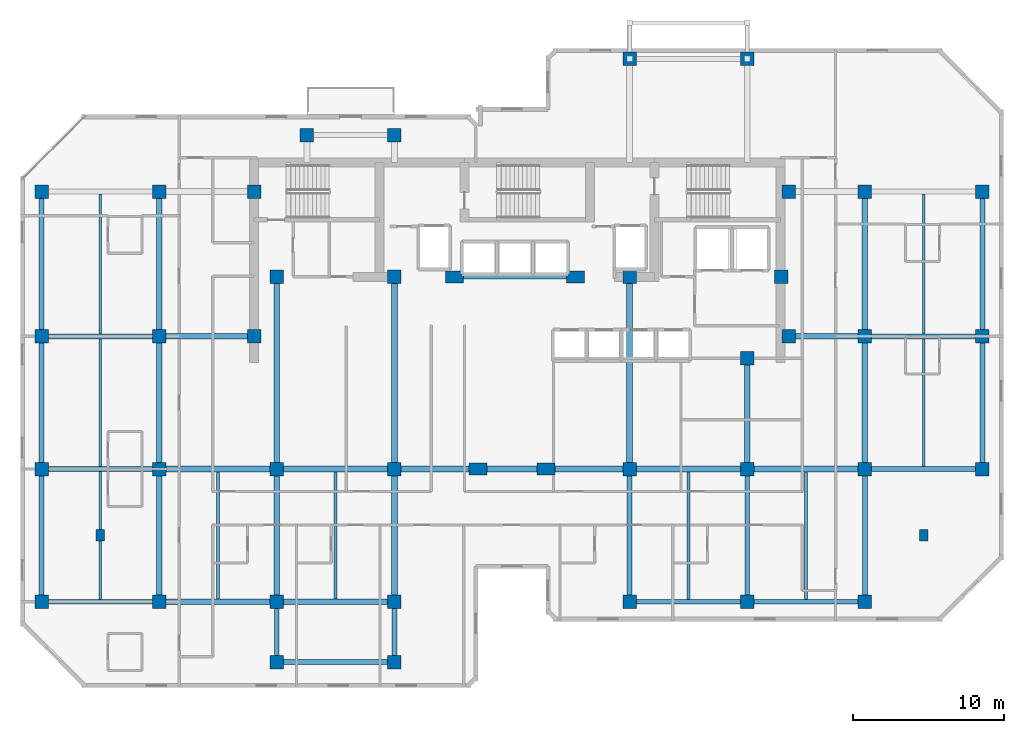
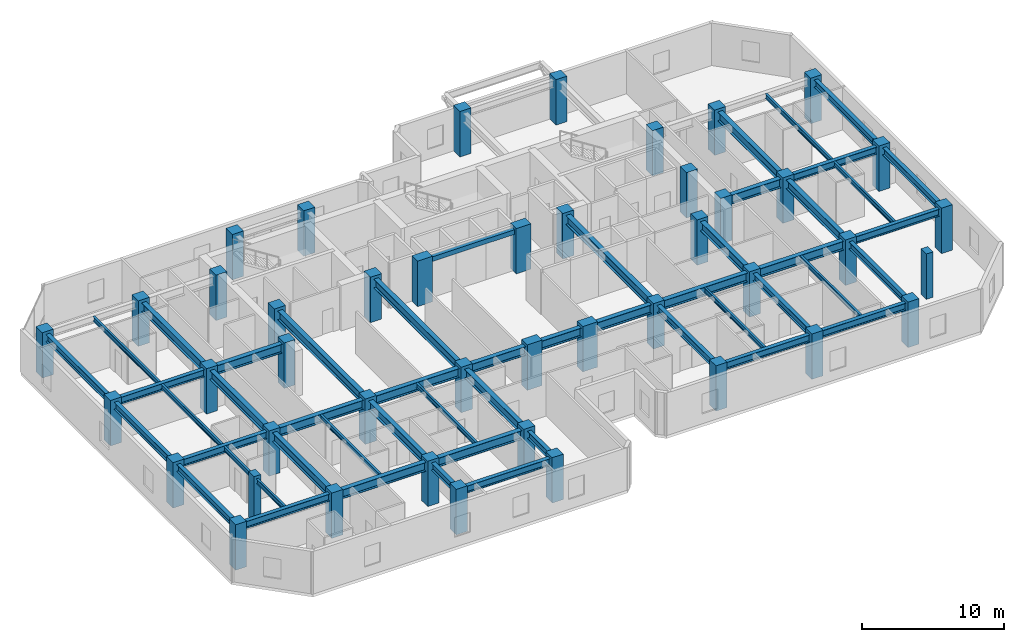
# One storey, part 1 of 10: 50 beams, 44 columns.
"""IFC4 building model written with IfcOpenShell, lengths in metres."""

from ifc_helpers import new_model, si_unit, direction, frame, origin, origin_2d, place, context, subcontext, project, spatial, rectangle, i_section, extrude, material, material_profile, profile_set, type_object, element, save


model = new_model("IFC4")

# Units and contexts
model_context = context("Model", 3, precision=1e-05, world=origin(), true_north=direction((0.0, 1.0)))
body_context = subcontext(model_context, "Body", "Model", "MODEL_VIEW")
ifc_project = project(units=[si_unit("LENGTHUNIT", "METRE"), si_unit("AREAUNIT", "SQUARE_METRE"), si_unit("VOLUMEUNIT", "CUBIC_METRE"), si_unit("PLANEANGLEUNIT", "RADIAN"), si_unit("MASSUNIT", "GRAM", prefix="KILO")], contexts=[model_context])

# Site, building, storey
site_placement = place(None, origin())
site = spatial("IfcSite", under=ifc_project, at=site_placement, CompositionType="ELEMENT")
building_placement = place(site_placement, origin())
building = spatial("IfcBuilding", under=site, at=building_placement, Name="Kestravale Grand Hotel", CompositionType="ELEMENT")
storey_placement = place(building_placement, frame((0.0, 0.0, 216.300048828125)))
storey = spatial("IfcBuildingStorey", under=building, at=storey_placement, Name="L54", CompositionType="ELEMENT", Elevation=216.300048828125)

# Columns
ifc_material_1 = material(Name="Concrete f'c 60 MPa", Category="concrete")
ifc_material_profile_1 = material_profile(ifc_material_1, rectangle(XDim=1.199951171875, YDim=0.800048828125, at=origin_2d()))
ifc_profile_set_1 = profile_set([ifc_material_profile_1], Name="Concrete f'c 60 MPa")
column_type_1 = type_object("IfcColumnType", Name="C-Z3-1200X800", PredefinedType="COLUMN", material=ifc_profile_set_1)
for number, where, z_axis, x_axis, name in (
    (1, (36.75, 20.0, 0.0), (0.0, 0.0, 1.0), (1.0, 0.0, 0.0), "L54 column 6-D"),
    (2, (41.25, 20.0, 0.0), (0.0, 0.0, 1.0), (1.0, 0.0, 0.0), "L54 column 7-D"),
    (3, (35.199951171875, 32.75, 0.0), (0.0, 0.0, 1.0), (1.0, 0.0, 0.0), "L54 column 6C-CS"),
    (4, (43.199951171875, 32.75, 0.0), (0.0, 0.0, 1.0), (1.0, 0.0, 0.0), "L54 column 7C-CS"),
):
    element("IfcColumn", number, at=place(storey_placement, frame(where, z_axis=z_axis, x_axis=x_axis)), inside=storey, type_object=column_type_1, Name=name, PredefinedType="COLUMN", context=body_context, shape_type="SweptSolid", body=[
        extrude(rectangle(XDim=1.199951171875, YDim=0.800048828125, at=origin_2d()), origin(), (0.0, 0.0, 1.0), 3.89990234375),
    ])
ifc_material_2 = material(Name="Precast concrete f'c 45 MPa", Category="concrete")
ifc_material_profile_2 = material_profile(ifc_material_2, rectangle(XDim=0.550048828125, YDim=0.75, at=origin_2d()))
ifc_profile_set_2 = profile_set([ifc_material_profile_2], Name="Precast concrete f'c 45 MPa")
column_type_2 = type_object("IfcColumnType", Name="C-Z3-PIL750", PredefinedType="PILASTER", material=ifc_profile_set_2)
for number, where, z_axis, x_axis, name in (
    (5, (11.699951171875, 15.60009765625, 0.0), (0.0, 0.0, 1.0), (1.0, 0.0, 0.0), "L54 Art Deco fluted pilaster P1"),
    (6, (66.300048828125, 15.60009765625, 0.0), (0.0, 0.0, 1.0), (1.0, 0.0, 0.0), "L54 Art Deco fluted pilaster P2"),
):
    element("IfcColumn", number, at=place(storey_placement, frame(where, z_axis=z_axis, x_axis=x_axis)), inside=storey, type_object=column_type_2, Name=name, PredefinedType="PILASTER", context=body_context, shape_type="SweptSolid", body=[
        extrude(rectangle(XDim=0.550048828125, YDim=0.75, at=origin_2d()), origin(), (0.0, 0.0, 1.0), 3.89990234375),
    ])
ifc_material_3 = material(Name="Concrete f'c 50 MPa", Category="concrete")
ifc_material_profile_3 = material_profile(ifc_material_3, rectangle(XDim=0.89990234375, YDim=0.89990234375, at=origin_2d()))
ifc_profile_set_3 = profile_set([ifc_material_profile_3], Name="Concrete f'c 50 MPa")
column_type_3 = type_object("IfcColumnType", Name="C-Z4-900", PredefinedType="COLUMN", material=ifc_profile_set_3)
for number, where, z_axis, x_axis, name in (
    (7, (7.800048828125, 11.199951171875, 0.0), (0.0, 0.0, 1.0), (1.0, 0.0, 0.0), "L54 column 2-C"),
    (8, (7.800048828125, 20.0, 0.0), (0.0, 0.0, 1.0), (1.0, 0.0, 0.0), "L54 column 2-D"),
    (9, (7.800048828125, 28.800048828125, 0.0), (0.0, 0.0, 1.0), (1.0, 0.0, 0.0), "L54 column 2-E"),
    (10, (7.800048828125, 38.39990234375, 0.0), (0.0, 0.0, 1.0), (1.0, 0.0, 0.0), "L54 column 2-F"),
    (11, (15.60009765625, 11.199951171875, 0.0), (0.0, 0.0, 1.0), (1.0, 0.0, 0.0), "L54 column 3-C"),
    (12, (15.60009765625, 20.0, 0.0), (0.0, 0.0, 1.0), (1.0, 0.0, 0.0), "L54 column 3-D"),
    (13, (15.60009765625, 28.800048828125, 0.0), (0.0, 0.0, 1.0), (1.0, 0.0, 0.0), "L54 column 3-E"),
    (14, (15.60009765625, 38.39990234375, 0.0), (0.0, 0.0, 1.0), (1.0, 0.0, 0.0), "L54 column 3-F"),
    (15, (23.39990234375, 11.199951171875, 0.0), (0.0, 0.0, 1.0), (1.0, 0.0, 0.0), "L54 column 4-C"),
    (16, (23.39990234375, 20.0, 0.0), (0.0, 0.0, 1.0), (1.0, 0.0, 0.0), "L54 column 4-D"),
    (17, (31.199951171875, 11.199951171875, 0.0), (0.0, 0.0, 1.0), (1.0, 0.0, 0.0), "L54 column 5-C"),
    (18, (31.199951171875, 20.0, 0.0), (0.0, 0.0, 1.0), (1.0, 0.0, 0.0), "L54 column 5-D"),
    (19, (46.800048828125, 11.199951171875, 0.0), (0.0, 0.0, 1.0), (1.0, 0.0, 0.0), "L54 column 8-C"),
    (20, (46.800048828125, 20.0, 0.0), (0.0, 0.0, 1.0), (1.0, 0.0, 0.0), "L54 column 8-D"),
    (21, (46.800048828125, 47.199951171875, 0.0), (0.0, 0.0, 1.0), (1.0, 0.0, 0.0), "L54 column 8-G"),
    (22, (54.60009765625, 11.199951171875, 0.0), (0.0, 0.0, 1.0), (1.0, 0.0, 0.0), "L54 column 9-C"),
    (23, (54.60009765625, 20.0, 0.0), (0.0, 0.0, 1.0), (1.0, 0.0, 0.0), "L54 column 9-D"),
    (24, (54.60009765625, 47.199951171875, 0.0), (0.0, 0.0, 1.0), (1.0, 0.0, 0.0), "L54 column 9-G"),
    (25, (62.39990234375, 11.199951171875, 0.0), (0.0, 0.0, 1.0), (1.0, 0.0, 0.0), "L54 column 10-C"),
    (26, (62.39990234375, 20.0, 0.0), (0.0, 0.0, 1.0), (1.0, 0.0, 0.0), "L54 column 10-D"),
    (27, (62.39990234375, 28.800048828125, 0.0), (0.0, 0.0, 1.0), (1.0, 0.0, 0.0), "L54 column 10-E"),
    (28, (62.39990234375, 38.39990234375, 0.0), (0.0, 0.0, 1.0), (1.0, 0.0, 0.0), "L54 column 10-F"),
    (29, (70.199951171875, 20.0, 0.0), (0.0, 0.0, 1.0), (1.0, 0.0, 0.0), "L54 column 11-D"),
    (30, (70.199951171875, 28.800048828125, 0.0), (0.0, 0.0, 1.0), (1.0, 0.0, 0.0), "L54 column 11-E"),
    (31, (70.199951171875, 38.39990234375, 0.0), (0.0, 0.0, 1.0), (1.0, 0.0, 0.0), "L54 column 11-F"),
    (32, (21.89990234375, 28.800048828125, 0.0), (0.0, 0.0, 1.0), (1.0, 0.0, 0.0), "L54 column CW-E"),
    (33, (21.89990234375, 38.39990234375, 0.0), (0.0, 0.0, 1.0), (1.0, 0.0, 0.0), "L54 column CW-F"),
    (34, (57.35009765625, 28.800048828125, 0.0), (0.0, 0.0, 1.0), (1.0, 0.0, 0.0), "L54 column CE-E"),
    (35, (57.35009765625, 38.39990234375, 0.0), (0.0, 0.0, 1.0), (1.0, 0.0, 0.0), "L54 column CE-F"),
    (36, (23.39990234375, 32.75, 0.0), (0.0, 0.0, 1.0), (1.0, 0.0, 0.0), "L54 column 4-CS"),
    (37, (31.199951171875, 32.75, 0.0), (0.0, 0.0, 1.0), (1.0, 0.0, 0.0), "L54 column 5-CS"),
    (38, (46.800048828125, 32.75, 0.0), (0.0, 0.0, 1.0), (1.0, 0.0, 0.0), "L54 column 8-CS"),
    (39, (54.60009765625, 27.35009765625, 0.0), (0.0, 0.0, 1.0), (1.0, 0.0, 0.0), "L54 column 9-CS"),
    (40, (56.85009765625, 32.75, 0.0), (0.0, 0.0, 1.0), (1.0, 0.0, 0.0), "L54 column 9C-CS"),
    (41, (23.39990234375, 7.199951171875, 0.0), (0.0, 0.0, 1.0), (1.0, 0.0, 0.0), "L54 column 4-BS"),
    (42, (31.199951171875, 7.199951171875, 0.0), (0.0, 0.0, 1.0), (1.0, 0.0, 0.0), "L54 column 5-BS"),
    (43, (25.39990234375, 42.14990234375, 0.0), (0.0, 0.0, 1.0), (1.0, 0.0, 0.0), "L54 column 4-FN"),
    (44, (31.199951171875, 42.14990234375, 0.0), (0.0, 0.0, 1.0), (1.0, 0.0, 0.0), "L54 column 5-FN"),
):
    element("IfcColumn", number, at=place(storey_placement, frame(where, z_axis=z_axis, x_axis=x_axis)), inside=storey, type_object=column_type_3, Name=name, PredefinedType="COLUMN", context=body_context, shape_type="SweptSolid", body=[
        extrude(rectangle(XDim=0.89990234375, YDim=0.89990234375, at=origin_2d()), origin(), (0.0, 0.0, 1.0), 3.89990234375),
    ])

# Beams
ifc_material_4 = material(Name="Steel ASTM A992 Grade 50", Category="steel")
ifc_material_profile_4 = material_profile(ifc_material_4, i_section(OverallWidth=0.177978515625, OverallDepth=0.404052734375, WebThickness=0.007568359375, FlangeThickness=0.010986328125, FilletRadius=0.01416015625, at=origin_2d()))
ifc_profile_set_4 = profile_set([ifc_material_profile_4], Name="Steel ASTM A992 Grade 50")
beam_type_1 = type_object("IfcBeamType", Name="B-FLR-JST16", PredefinedType="JOIST", material=ifc_profile_set_4)
for number, where, z_axis, x_axis, name in (
    (45, (11.699951171875, 11.362548828125, 3.447998046875), (0.0, 1.0, 0.0), (-1.0, 0.0, 0.0), "L54 floor joist 2-3/C-D #1"),
    (46, (11.699951171875, 20.16259765625, 3.447998046875), (0.0, 1.0, 0.0), (-1.0, 0.0, 0.0), "L54 floor joist 2-3/D-E #1"),
):
    element("IfcBeam", number, at=place(storey_placement, frame(where, z_axis=z_axis, x_axis=x_axis)), inside=storey, type_object=beam_type_1, Name=name, PredefinedType="JOIST", context=body_context, shape_type="SweptSolid", body=[
        extrude(i_section(OverallWidth=0.177978515625, OverallDepth=0.404052734375, WebThickness=0.007568359375, FlangeThickness=0.010986328125, FilletRadius=0.01416015625, at=origin_2d()), origin(), (0.0, 0.0, 1.0), 8.474853515625),
    ])
beam_1_placement = place(storey_placement, frame((11.699951171875, 28.96240234375, 3.447998046875), z_axis=(0.0, 1.0, 0.0), x_axis=(-1.0, 0.0, 0.0)))
element("IfcBeam", 47, at=beam_1_placement, inside=storey, type_object=beam_type_1, Name="L54 floor joist 2-3/E-F #1", PredefinedType="JOIST", context=body_context, shape_type="SweptSolid", body=[
    extrude(i_section(OverallWidth=0.177978515625, OverallDepth=0.404052734375, WebThickness=0.007568359375, FlangeThickness=0.010986328125, FilletRadius=0.01416015625, at=origin_2d()), origin(), (0.0, 0.0, 1.0), 9.275146484375),
])
for number, where, z_axis, x_axis, name in (
    (48, (19.5, 11.390380859375, 3.447998046875), (0.0, 1.0, 0.0), (-1.0, 0.0, 0.0), "L54 floor joist 3-4/C-D #1"),
    (49, (27.300048828125, 11.390380859375, 3.447998046875), (0.0, 1.0, 0.0), (-1.0, 0.0, 0.0), "L54 floor joist 4-5/C-D #1"),
):
    element("IfcBeam", number, at=place(storey_placement, frame(where, z_axis=z_axis, x_axis=x_axis)), inside=storey, type_object=beam_type_1, Name=name, PredefinedType="JOIST", context=body_context, shape_type="SweptSolid", body=[
        extrude(i_section(OverallWidth=0.177978515625, OverallDepth=0.404052734375, WebThickness=0.007568359375, FlangeThickness=0.010986328125, FilletRadius=0.01416015625, at=origin_2d()), origin(), (0.0, 0.0, 1.0), 8.419189453125),
    ])
for number, where, z_axis, x_axis, name in (
    (50, (50.699951171875, 11.362548828125, 3.447998046875), (0.0, 1.0, 0.0), (-1.0, 0.0, 0.0), "L54 floor joist 8-9/C-D #1"),
    (51, (58.5, 11.362548828125, 3.447998046875), (0.0, 1.0, 0.0), (-1.0, 0.0, 0.0), "L54 floor joist 9-10/C-D #1"),
):
    element("IfcBeam", number, at=place(storey_placement, frame(where, z_axis=z_axis, x_axis=x_axis)), inside=storey, type_object=beam_type_1, Name=name, PredefinedType="JOIST", context=body_context, shape_type="SweptSolid", body=[
        extrude(i_section(OverallWidth=0.177978515625, OverallDepth=0.404052734375, WebThickness=0.007568359375, FlangeThickness=0.010986328125, FilletRadius=0.01416015625, at=origin_2d()), origin(), (0.0, 0.0, 1.0), 8.447021484375),
    ])
beam_2_placement = place(storey_placement, frame((66.300048828125, 20.16259765625, 3.447998046875), z_axis=(0.0, 1.0, 0.0), x_axis=(-1.0, 0.0, 0.0)))
element("IfcBeam", 52, at=beam_2_placement, inside=storey, type_object=beam_type_1, Name="L54 floor joist 10-11/D-E #1", PredefinedType="JOIST", context=body_context, shape_type="SweptSolid", body=[
    extrude(i_section(OverallWidth=0.177978515625, OverallDepth=0.404052734375, WebThickness=0.007568359375, FlangeThickness=0.010986328125, FilletRadius=0.01416015625, at=origin_2d()), origin(), (0.0, 0.0, 1.0), 8.474853515625),
])
beam_3_placement = place(storey_placement, frame((66.300048828125, 28.96240234375, 3.447998046875), z_axis=(0.0, 1.0, 0.0), x_axis=(-1.0, 0.0, 0.0)))
element("IfcBeam", 53, at=beam_3_placement, inside=storey, type_object=beam_type_1, Name="L54 floor joist 10-11/E-F #1", PredefinedType="JOIST", context=body_context, shape_type="SweptSolid", body=[
    extrude(i_section(OverallWidth=0.177978515625, OverallDepth=0.404052734375, WebThickness=0.007568359375, FlangeThickness=0.010986328125, FilletRadius=0.01416015625, at=origin_2d()), origin(), (0.0, 0.0, 1.0), 9.275146484375),
])
ifc_material_5 = material(Name="Concrete f'c 45 MPa", Category="concrete")
ifc_material_profile_5 = material_profile(ifc_material_5, rectangle(XDim=0.300048828125, YDim=0.39990234375, at=origin_2d()))
ifc_profile_set_5 = profile_set([ifc_material_profile_5], Name="Concrete f'c 45 MPa")
beam_type_2 = type_object("IfcBeamType", Name="B-FLR-LNT400", PredefinedType="LINTEL", material=ifc_profile_set_5)
beam_4_placement = place(storey_placement, frame((35.199951171875, 32.75, 3.449951171875), z_axis=(1.0, 0.0, 0.0), x_axis=(0.0, 1.0, 0.0)))
element("IfcBeam", 54, at=beam_4_placement, inside=storey, type_object=beam_type_2, Name="L54 core portal header lintel", PredefinedType="LINTEL", context=body_context, shape_type="SweptSolid", body=[
    extrude(rectangle(XDim=0.300048828125, YDim=0.39990234375, at=origin_2d()), origin(), (0.0, 0.0, 1.0), 8.0),
])
ifc_material_6 = material(Name="Steel ASTM A992 Grade 50", Category="steel")
ifc_material_profile_6 = material_profile(ifc_material_6, i_section(OverallWidth=0.324951171875, OverallDepth=0.612060546875, WebThickness=0.0126953125, FlangeThickness=0.01904296875, FilletRadius=0.018798828125, at=origin_2d()))
ifc_profile_set_6 = profile_set([ifc_material_profile_6], Name="Steel ASTM A992 Grade 50")
beam_type_3 = type_object("IfcBeamType", Name="B-FLR-W24A", PredefinedType="SPANDREL", material=ifc_profile_set_6)
for number, where, z_axis, x_axis, name in (
    (55, (7.800048828125, 11.199951171875, 3.343994140625), (1.0, 0.0, 0.0), (0.0, 1.0, 0.0), "L54 spandrel C:2-3"),
    (56, (46.800048828125, 11.199951171875, 3.343994140625), (1.0, 0.0, 0.0), (0.0, 1.0, 0.0), "L54 spandrel C:8-9"),
):
    element("IfcBeam", number, at=place(storey_placement, frame(where, z_axis=z_axis, x_axis=x_axis)), inside=storey, type_object=beam_type_3, Name=name, PredefinedType="SPANDREL", context=body_context, shape_type="SweptSolid", body=[
        extrude(i_section(OverallWidth=0.324951171875, OverallDepth=0.612060546875, WebThickness=0.0126953125, FlangeThickness=0.01904296875, FilletRadius=0.018798828125, at=origin_2d()), origin(), (0.0, 0.0, 1.0), 7.800048828125),
    ])
beam_5_placement = place(storey_placement, frame((54.60009765625, 11.199951171875, 3.343994140625), z_axis=(1.0, 0.0, 0.0), x_axis=(0.0, 1.0, 0.0)))
element("IfcBeam", 57, at=beam_5_placement, inside=storey, type_object=beam_type_3, Name="L54 spandrel C:9-10", PredefinedType="SPANDREL", context=body_context, shape_type="SweptSolid", body=[
    extrude(i_section(OverallWidth=0.324951171875, OverallDepth=0.612060546875, WebThickness=0.0126953125, FlangeThickness=0.01904296875, FilletRadius=0.018798828125, at=origin_2d()), origin(), (0.0, 0.0, 1.0), 7.7998046875),
])
for number, where, z_axis, x_axis, name in (
    (58, (7.800048828125, 20.0, 3.343994140625), (1.0, 0.0, 0.0), (0.0, 1.0, 0.0), "L54 spandrel D:2-3"),
    (59, (62.39990234375, 20.0, 3.343994140625), (1.0, 0.0, 0.0), (0.0, 1.0, 0.0), "L54 spandrel D:10-11"),
    (60, (7.800048828125, 28.800048828125, 3.343994140625), (1.0, 0.0, 0.0), (0.0, 1.0, 0.0), "L54 spandrel E:2-3"),
    (61, (62.39990234375, 28.800048828125, 3.343994140625), (1.0, 0.0, 0.0), (0.0, 1.0, 0.0), "L54 spandrel E:10-11"),
    (62, (23.39990234375, 7.199951171875, 3.343994140625), (1.0, 0.0, 0.0), (0.0, 1.0, 0.0), "L54 perimeter tie spandrel BS:4-5"),
):
    element("IfcBeam", number, at=place(storey_placement, frame(where, z_axis=z_axis, x_axis=x_axis)), inside=storey, type_object=beam_type_3, Name=name, PredefinedType="SPANDREL", context=body_context, shape_type="SweptSolid", body=[
        extrude(i_section(OverallWidth=0.324951171875, OverallDepth=0.612060546875, WebThickness=0.0126953125, FlangeThickness=0.01904296875, FilletRadius=0.018798828125, at=origin_2d()), origin(), (0.0, 0.0, 1.0), 7.800048828125),
    ])
for number, where, z_axis, x_axis, name in (
    (63, (7.800048828125, 11.199951171875, 3.343994140625), (0.0, 1.0, 0.0), (-1.0, 0.0, 0.0), "L54 spandrel 2:C-D"),
    (64, (7.800048828125, 20.0, 3.343994140625), (0.0, 1.0, 0.0), (-1.0, 0.0, 0.0), "L54 spandrel 2:D-E"),
):
    element("IfcBeam", number, at=place(storey_placement, frame(where, z_axis=z_axis, x_axis=x_axis)), inside=storey, type_object=beam_type_3, Name=name, PredefinedType="SPANDREL", context=body_context, shape_type="SweptSolid", body=[
        extrude(i_section(OverallWidth=0.324951171875, OverallDepth=0.612060546875, WebThickness=0.0126953125, FlangeThickness=0.01904296875, FilletRadius=0.018798828125, at=origin_2d()), origin(), (0.0, 0.0, 1.0), 8.800048828125),
    ])
beam_6_placement = place(storey_placement, frame((7.800048828125, 28.800048828125, 3.343994140625), z_axis=(0.0, 1.0, 0.0), x_axis=(-1.0, 0.0, 0.0)))
element("IfcBeam", 65, at=beam_6_placement, inside=storey, type_object=beam_type_3, Name="L54 spandrel 2:E-F", PredefinedType="SPANDREL", context=body_context, shape_type="SweptSolid", body=[
    extrude(i_section(OverallWidth=0.324951171875, OverallDepth=0.612060546875, WebThickness=0.0126953125, FlangeThickness=0.01904296875, FilletRadius=0.018798828125, at=origin_2d()), origin(), (0.0, 0.0, 1.0), 9.599853515625),
])
for number, where, z_axis, x_axis, name in (
    (66, (23.39990234375, 7.199951171875, 3.343994140625), (0.0, 1.0, 0.0), (-1.0, 0.0, 0.0), "L54 spandrel 4:BS-C"),
    (67, (31.199951171875, 7.199951171875, 3.343994140625), (0.0, 1.0, 0.0), (-1.0, 0.0, 0.0), "L54 spandrel 5:BS-C"),
):
    element("IfcBeam", number, at=place(storey_placement, frame(where, z_axis=z_axis, x_axis=x_axis)), inside=storey, type_object=beam_type_3, Name=name, PredefinedType="SPANDREL", context=body_context, shape_type="SweptSolid", body=[
        extrude(i_section(OverallWidth=0.324951171875, OverallDepth=0.612060546875, WebThickness=0.0126953125, FlangeThickness=0.01904296875, FilletRadius=0.018798828125, at=origin_2d()), origin(), (0.0, 0.0, 1.0), 4.0),
    ])
for number, where, z_axis, x_axis, name in (
    (68, (46.800048828125, 11.199951171875, 3.343994140625), (0.0, 1.0, 0.0), (-1.0, 0.0, 0.0), "L54 spandrel 8:C-D"),
    (69, (54.60009765625, 11.199951171875, 3.343994140625), (0.0, 1.0, 0.0), (-1.0, 0.0, 0.0), "L54 spandrel 9:C-D"),
    (70, (62.39990234375, 11.199951171875, 3.343994140625), (0.0, 1.0, 0.0), (-1.0, 0.0, 0.0), "L54 spandrel 10:C-D"),
    (71, (70.199951171875, 20.0, 3.343994140625), (0.0, 1.0, 0.0), (-1.0, 0.0, 0.0), "L54 spandrel 11:D-E"),
):
    element("IfcBeam", number, at=place(storey_placement, frame(where, z_axis=z_axis, x_axis=x_axis)), inside=storey, type_object=beam_type_3, Name=name, PredefinedType="SPANDREL", context=body_context, shape_type="SweptSolid", body=[
        extrude(i_section(OverallWidth=0.324951171875, OverallDepth=0.612060546875, WebThickness=0.0126953125, FlangeThickness=0.01904296875, FilletRadius=0.018798828125, at=origin_2d()), origin(), (0.0, 0.0, 1.0), 8.800048828125),
    ])
beam_7_placement = place(storey_placement, frame((70.199951171875, 28.800048828125, 3.343994140625), z_axis=(0.0, 1.0, 0.0), x_axis=(-1.0, 0.0, 0.0)))
element("IfcBeam", 72, at=beam_7_placement, inside=storey, type_object=beam_type_3, Name="L54 spandrel 11:E-F", PredefinedType="SPANDREL", context=body_context, shape_type="SweptSolid", body=[
    extrude(i_section(OverallWidth=0.324951171875, OverallDepth=0.612060546875, WebThickness=0.0126953125, FlangeThickness=0.01904296875, FilletRadius=0.018798828125, at=origin_2d()), origin(), (0.0, 0.0, 1.0), 9.599853515625),
])
ifc_material_7 = material(Name="Steel ASTM A992 Grade 50", Category="steel")
ifc_material_profile_7 = material_profile(ifc_material_7, i_section(OverallWidth=0.381103515625, OverallDepth=0.77197265625, WebThickness=0.0166015625, FlangeThickness=0.027099609375, FilletRadius=0.023681640625, at=origin_2d()))
ifc_profile_set_7 = profile_set([ifc_material_profile_7], Name="Steel ASTM A992 Grade 50")
beam_type_4 = type_object("IfcBeamType", Name="B-GRD-W30", PredefinedType="BEAM", material=ifc_profile_set_7)
beam_8_placement = place(storey_placement, frame((15.60009765625, 11.199951171875, 3.263916015625), z_axis=(1.0, 0.0, 0.0), x_axis=(0.0, 1.0, 0.0)))
element("IfcBeam", 73, at=beam_8_placement, inside=storey, type_object=beam_type_4, Name="L54 girder C:3-4", PredefinedType="BEAM", context=body_context, shape_type="SweptSolid", body=[
    extrude(i_section(OverallWidth=0.381103515625, OverallDepth=0.77197265625, WebThickness=0.0166015625, FlangeThickness=0.027099609375, FilletRadius=0.023681640625, at=origin_2d()), origin(), (0.0, 0.0, 1.0), 7.7998046875),
])
beam_9_placement = place(storey_placement, frame((23.39990234375, 11.199951171875, 3.263916015625), z_axis=(1.0, 0.0, 0.0), x_axis=(0.0, 1.0, 0.0)))
element("IfcBeam", 74, at=beam_9_placement, inside=storey, type_object=beam_type_4, Name="L54 girder C:4-5", PredefinedType="BEAM", context=body_context, shape_type="SweptSolid", body=[
    extrude(i_section(OverallWidth=0.381103515625, OverallDepth=0.77197265625, WebThickness=0.0166015625, FlangeThickness=0.027099609375, FilletRadius=0.023681640625, at=origin_2d()), origin(), (0.0, 0.0, 1.0), 7.800048828125),
])
beam_10_placement = place(storey_placement, frame((15.60009765625, 20.0, 3.263916015625), z_axis=(1.0, 0.0, 0.0), x_axis=(0.0, 1.0, 0.0)))
element("IfcBeam", 75, at=beam_10_placement, inside=storey, type_object=beam_type_4, Name="L54 girder D:3-4", PredefinedType="BEAM", context=body_context, shape_type="SweptSolid", body=[
    extrude(i_section(OverallWidth=0.381103515625, OverallDepth=0.77197265625, WebThickness=0.0166015625, FlangeThickness=0.027099609375, FilletRadius=0.023681640625, at=origin_2d()), origin(), (0.0, 0.0, 1.0), 7.7998046875),
])
beam_11_placement = place(storey_placement, frame((23.39990234375, 20.0, 3.263916015625), z_axis=(1.0, 0.0, 0.0), x_axis=(0.0, 1.0, 0.0)))
element("IfcBeam", 76, at=beam_11_placement, inside=storey, type_object=beam_type_4, Name="L54 girder D:4-5", PredefinedType="BEAM", context=body_context, shape_type="SweptSolid", body=[
    extrude(i_section(OverallWidth=0.381103515625, OverallDepth=0.77197265625, WebThickness=0.0166015625, FlangeThickness=0.027099609375, FilletRadius=0.023681640625, at=origin_2d()), origin(), (0.0, 0.0, 1.0), 7.800048828125),
])
beam_12_placement = place(storey_placement, frame((31.199951171875, 20.0, 3.263916015625), z_axis=(1.0, 0.0, 0.0), x_axis=(0.0, 1.0, 0.0)))
element("IfcBeam", 77, at=beam_12_placement, inside=storey, type_object=beam_type_4, Name="L54 girder D:5-6", PredefinedType="BEAM", context=body_context, shape_type="SweptSolid", body=[
    extrude(i_section(OverallWidth=0.381103515625, OverallDepth=0.77197265625, WebThickness=0.0166015625, FlangeThickness=0.027099609375, FilletRadius=0.023681640625, at=origin_2d()), origin(), (0.0, 0.0, 1.0), 5.550048828125),
])
beam_13_placement = place(storey_placement, frame((36.75, 20.0, 3.263916015625), z_axis=(1.0, 0.0, 0.0), x_axis=(0.0, 1.0, 0.0)))
element("IfcBeam", 78, at=beam_13_placement, inside=storey, type_object=beam_type_4, Name="L54 girder D:6-7", PredefinedType="BEAM", context=body_context, shape_type="SweptSolid", body=[
    extrude(i_section(OverallWidth=0.381103515625, OverallDepth=0.77197265625, WebThickness=0.0166015625, FlangeThickness=0.027099609375, FilletRadius=0.023681640625, at=origin_2d()), origin(), (0.0, 0.0, 1.0), 4.5),
])
beam_14_placement = place(storey_placement, frame((41.25, 20.0, 3.263916015625), z_axis=(1.0, 0.0, 0.0), x_axis=(0.0, 1.0, 0.0)))
element("IfcBeam", 79, at=beam_14_placement, inside=storey, type_object=beam_type_4, Name="L54 girder D:7-8", PredefinedType="BEAM", context=body_context, shape_type="SweptSolid", body=[
    extrude(i_section(OverallWidth=0.381103515625, OverallDepth=0.77197265625, WebThickness=0.0166015625, FlangeThickness=0.027099609375, FilletRadius=0.023681640625, at=origin_2d()), origin(), (0.0, 0.0, 1.0), 5.550048828125),
])
beam_15_placement = place(storey_placement, frame((46.800048828125, 20.0, 3.263916015625), z_axis=(1.0, 0.0, 0.0), x_axis=(0.0, 1.0, 0.0)))
element("IfcBeam", 80, at=beam_15_placement, inside=storey, type_object=beam_type_4, Name="L54 girder D:8-9", PredefinedType="BEAM", context=body_context, shape_type="SweptSolid", body=[
    extrude(i_section(OverallWidth=0.381103515625, OverallDepth=0.77197265625, WebThickness=0.0166015625, FlangeThickness=0.027099609375, FilletRadius=0.023681640625, at=origin_2d()), origin(), (0.0, 0.0, 1.0), 7.800048828125),
])
beam_16_placement = place(storey_placement, frame((54.60009765625, 20.0, 3.263916015625), z_axis=(1.0, 0.0, 0.0), x_axis=(0.0, 1.0, 0.0)))
element("IfcBeam", 81, at=beam_16_placement, inside=storey, type_object=beam_type_4, Name="L54 girder D:9-10", PredefinedType="BEAM", context=body_context, shape_type="SweptSolid", body=[
    extrude(i_section(OverallWidth=0.381103515625, OverallDepth=0.77197265625, WebThickness=0.0166015625, FlangeThickness=0.027099609375, FilletRadius=0.023681640625, at=origin_2d()), origin(), (0.0, 0.0, 1.0), 7.7998046875),
])
beam_17_placement = place(storey_placement, frame((15.60009765625, 28.800048828125, 3.263916015625), z_axis=(1.0, 0.0, 0.0), x_axis=(0.0, 1.0, 0.0)))
element("IfcBeam", 82, at=beam_17_placement, inside=storey, type_object=beam_type_4, Name="L54 girder E:3-CW", PredefinedType="BEAM", context=body_context, shape_type="SweptSolid", body=[
    extrude(i_section(OverallWidth=0.381103515625, OverallDepth=0.77197265625, WebThickness=0.0166015625, FlangeThickness=0.027099609375, FilletRadius=0.023681640625, at=origin_2d()), origin(), (0.0, 0.0, 1.0), 6.2998046875),
])
beam_18_placement = place(storey_placement, frame((57.35009765625, 28.800048828125, 3.263916015625), z_axis=(1.0, 0.0, 0.0), x_axis=(0.0, 1.0, 0.0)))
element("IfcBeam", 83, at=beam_18_placement, inside=storey, type_object=beam_type_4, Name="L54 girder E:CE-10", PredefinedType="BEAM", context=body_context, shape_type="SweptSolid", body=[
    extrude(i_section(OverallWidth=0.381103515625, OverallDepth=0.77197265625, WebThickness=0.0166015625, FlangeThickness=0.027099609375, FilletRadius=0.023681640625, at=origin_2d()), origin(), (0.0, 0.0, 1.0), 5.0498046875),
])
for number, where, z_axis, x_axis, name in (
    (84, (15.60009765625, 11.199951171875, 3.263916015625), (0.0, 1.0, 0.0), (-1.0, 0.0, 0.0), "L54 girder 3:C-D"),
    (85, (15.60009765625, 20.0, 3.263916015625), (0.0, 1.0, 0.0), (-1.0, 0.0, 0.0), "L54 girder 3:D-E"),
):
    element("IfcBeam", number, at=place(storey_placement, frame(where, z_axis=z_axis, x_axis=x_axis)), inside=storey, type_object=beam_type_4, Name=name, PredefinedType="BEAM", context=body_context, shape_type="SweptSolid", body=[
        extrude(i_section(OverallWidth=0.381103515625, OverallDepth=0.77197265625, WebThickness=0.0166015625, FlangeThickness=0.027099609375, FilletRadius=0.023681640625, at=origin_2d()), origin(), (0.0, 0.0, 1.0), 8.800048828125),
    ])
beam_19_placement = place(storey_placement, frame((15.60009765625, 28.800048828125, 3.263916015625), z_axis=(0.0, 1.0, 0.0), x_axis=(-1.0, 0.0, 0.0)))
element("IfcBeam", 86, at=beam_19_placement, inside=storey, type_object=beam_type_4, Name="L54 girder 3:E-F", PredefinedType="BEAM", context=body_context, shape_type="SweptSolid", body=[
    extrude(i_section(OverallWidth=0.381103515625, OverallDepth=0.77197265625, WebThickness=0.0166015625, FlangeThickness=0.027099609375, FilletRadius=0.023681640625, at=origin_2d()), origin(), (0.0, 0.0, 1.0), 9.599853515625),
])
beam_20_placement = place(storey_placement, frame((23.39990234375, 11.199951171875, 3.263916015625), z_axis=(0.0, 1.0, 0.0), x_axis=(-1.0, 0.0, 0.0)))
element("IfcBeam", 87, at=beam_20_placement, inside=storey, type_object=beam_type_4, Name="L54 girder 4:C-D", PredefinedType="BEAM", context=body_context, shape_type="SweptSolid", body=[
    extrude(i_section(OverallWidth=0.381103515625, OverallDepth=0.77197265625, WebThickness=0.0166015625, FlangeThickness=0.027099609375, FilletRadius=0.023681640625, at=origin_2d()), origin(), (0.0, 0.0, 1.0), 8.800048828125),
])
beam_21_placement = place(storey_placement, frame((23.39990234375, 20.0, 3.263916015625), z_axis=(0.0, 1.0, 0.0), x_axis=(-1.0, 0.0, 0.0)))
element("IfcBeam", 88, at=beam_21_placement, inside=storey, type_object=beam_type_4, Name="L54 girder 4:D-CS", PredefinedType="BEAM", context=body_context, shape_type="SweptSolid", body=[
    extrude(i_section(OverallWidth=0.381103515625, OverallDepth=0.77197265625, WebThickness=0.0166015625, FlangeThickness=0.027099609375, FilletRadius=0.023681640625, at=origin_2d()), origin(), (0.0, 0.0, 1.0), 12.75),
])
beam_22_placement = place(storey_placement, frame((31.199951171875, 11.199951171875, 3.263916015625), z_axis=(0.0, 1.0, 0.0), x_axis=(-1.0, 0.0, 0.0)))
element("IfcBeam", 89, at=beam_22_placement, inside=storey, type_object=beam_type_4, Name="L54 girder 5:C-D", PredefinedType="BEAM", context=body_context, shape_type="SweptSolid", body=[
    extrude(i_section(OverallWidth=0.381103515625, OverallDepth=0.77197265625, WebThickness=0.0166015625, FlangeThickness=0.027099609375, FilletRadius=0.023681640625, at=origin_2d()), origin(), (0.0, 0.0, 1.0), 8.800048828125),
])
for number, where, z_axis, x_axis, name in (
    (90, (31.199951171875, 20.0, 3.263916015625), (0.0, 1.0, 0.0), (-1.0, 0.0, 0.0), "L54 girder 5:D-CS"),
    (91, (46.800048828125, 20.0, 3.263916015625), (0.0, 1.0, 0.0), (-1.0, 0.0, 0.0), "L54 girder 8:D-CS"),
):
    element("IfcBeam", number, at=place(storey_placement, frame(where, z_axis=z_axis, x_axis=x_axis)), inside=storey, type_object=beam_type_4, Name=name, PredefinedType="BEAM", context=body_context, shape_type="SweptSolid", body=[
        extrude(i_section(OverallWidth=0.381103515625, OverallDepth=0.77197265625, WebThickness=0.0166015625, FlangeThickness=0.027099609375, FilletRadius=0.023681640625, at=origin_2d()), origin(), (0.0, 0.0, 1.0), 12.75),
    ])
beam_23_placement = place(storey_placement, frame((54.60009765625, 20.0, 3.263916015625), z_axis=(0.0, 1.0, 0.0), x_axis=(-1.0, 0.0, 0.0)))
element("IfcBeam", 92, at=beam_23_placement, inside=storey, type_object=beam_type_4, Name="L54 girder 9:D-CS", PredefinedType="BEAM", context=body_context, shape_type="SweptSolid", body=[
    extrude(i_section(OverallWidth=0.381103515625, OverallDepth=0.77197265625, WebThickness=0.0166015625, FlangeThickness=0.027099609375, FilletRadius=0.023681640625, at=origin_2d()), origin(), (0.0, 0.0, 1.0), 7.35009765625),
])
beam_24_placement = place(storey_placement, frame((62.39990234375, 20.0, 3.263916015625), z_axis=(0.0, 1.0, 0.0), x_axis=(-1.0, 0.0, 0.0)))
element("IfcBeam", 93, at=beam_24_placement, inside=storey, type_object=beam_type_4, Name="L54 girder 10:D-E", PredefinedType="BEAM", context=body_context, shape_type="SweptSolid", body=[
    extrude(i_section(OverallWidth=0.381103515625, OverallDepth=0.77197265625, WebThickness=0.0166015625, FlangeThickness=0.027099609375, FilletRadius=0.023681640625, at=origin_2d()), origin(), (0.0, 0.0, 1.0), 8.800048828125),
])
beam_25_placement = place(storey_placement, frame((62.39990234375, 28.800048828125, 3.263916015625), z_axis=(0.0, 1.0, 0.0), x_axis=(-1.0, 0.0, 0.0)))
element("IfcBeam", 94, at=beam_25_placement, inside=storey, type_object=beam_type_4, Name="L54 girder 10:E-F", PredefinedType="BEAM", context=body_context, shape_type="SweptSolid", body=[
    extrude(i_section(OverallWidth=0.381103515625, OverallDepth=0.77197265625, WebThickness=0.0166015625, FlangeThickness=0.027099609375, FilletRadius=0.023681640625, at=origin_2d()), origin(), (0.0, 0.0, 1.0), 9.599853515625),
])

save(model, "model.ifc")
